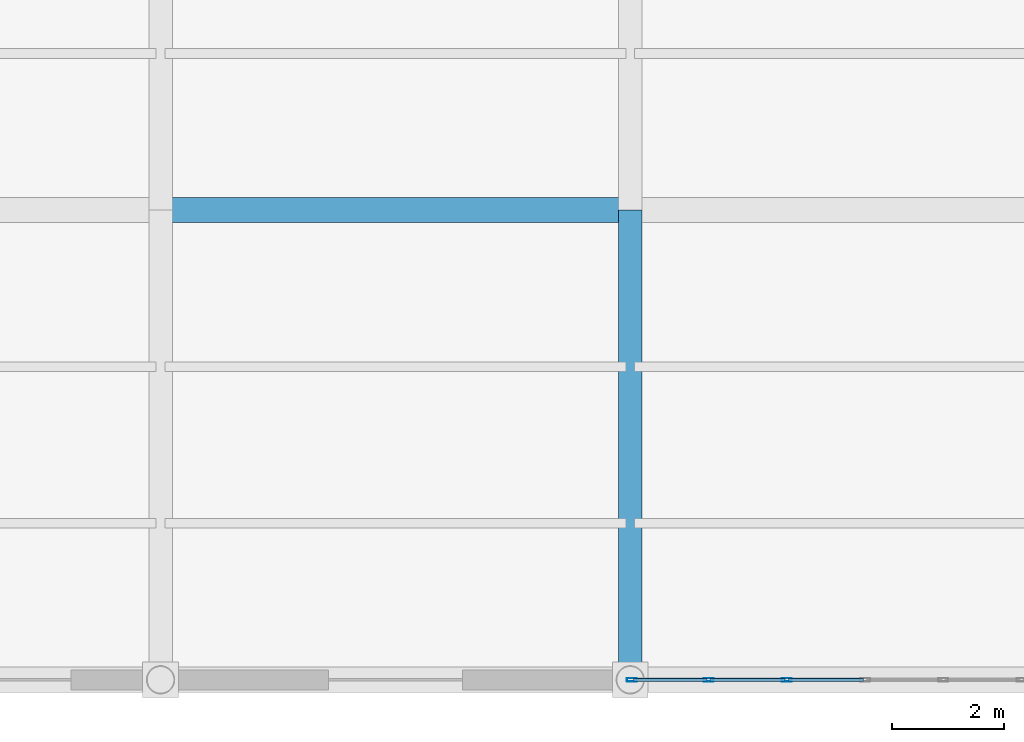
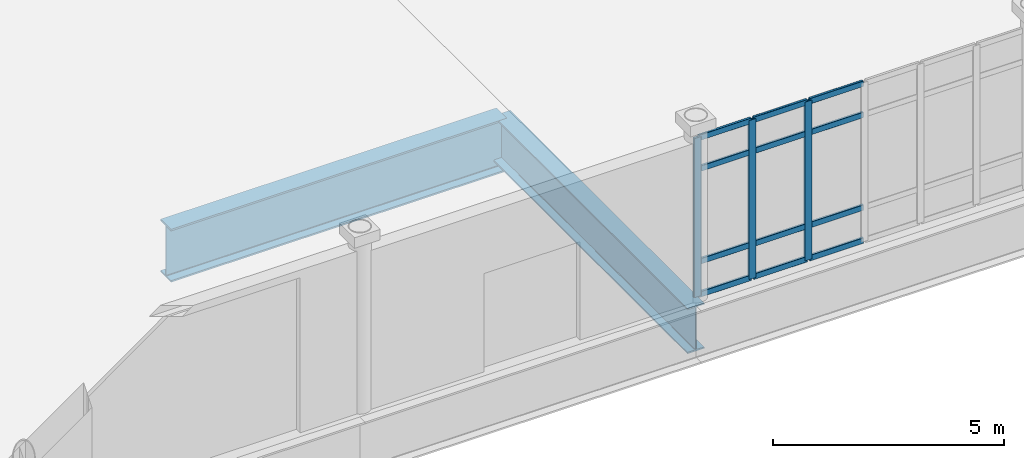
# One storey, part 46 of 145: 15 members, 2 beams, 1 element without a shape of its own.
"""IFC4 building model written with IfcOpenShell, lengths in metres."""

from ifc_helpers import new_model, si_unit, direction, frame, origin, origin_2d, place, context, subcontext, project, spatial, hollow_rectangle, i_section, extrude, material, layer, layer_set, material_profile, profile_set, type_object, element, aggregate, save


model = new_model("IFC4")

# Units and contexts
model_context = context("Model", 3, precision=1e-05, world=origin(), true_north=direction((0.0, 1.0)))
body_context = subcontext(model_context, "Body", "Model", "MODEL_VIEW")
ifc_project = project(units=[si_unit("LENGTHUNIT", "METRE"), si_unit("AREAUNIT", "SQUARE_METRE"), si_unit("VOLUMEUNIT", "CUBIC_METRE"), si_unit("PLANEANGLEUNIT", "RADIAN"), si_unit("MASSUNIT", "GRAM", prefix="KILO")], contexts=[model_context])

# Site, building, storey
site_placement = place(None, origin())
site = spatial("IfcSite", under=ifc_project, at=site_placement, CompositionType="ELEMENT")
building_placement = place(site_placement, origin())
building = spatial("IfcBuilding", under=site, at=building_placement, Name="Qalvenar Corner Mobility Hub", CompositionType="ELEMENT")
storey_placement = place(building_placement, origin())
storey = spatial("IfcBuildingStorey", under=building, at=storey_placement, Name="L00", CompositionType="ELEMENT", Elevation=0.0)

# Beams
ifc_material_1 = material(Name="Steel S355", Category="steel")
ifc_material_profile_1 = material_profile(ifc_material_1, i_section(OverallWidth=0.419921875, OverallDepth=1.199951171875, WebThickness=0.02197265625, FlangeThickness=0.0380859375, FilletRadius=0.02392578125, at=origin_2d()), Name="W1100x390-TG1200")
ifc_profile_set_1 = profile_set([ifc_material_profile_1], Name="Steel S355")
beam_type_1 = type_object("IfcBeamType", Name="BM-TG1200", PredefinedType="T_BEAM", material=ifc_profile_set_1)
beam_1_placement = place(storey_placement, frame((75.60009765625, 0.0, -0.85009765625), z_axis=(0.0, 1.0, 0.0), x_axis=(-1.0, 0.0, 0.0)))
element("IfcBeam", 1, at=beam_1_placement, inside=storey, type_object=beam_type_1, Name="Transfer Girder TG-0172", PredefinedType="T_BEAM", context=body_context, shape_type="SweptSolid", body=[
    extrude(i_section(OverallWidth=0.419921875, OverallDepth=1.199951171875, WebThickness=0.02197265625, FlangeThickness=0.0380859375, FilletRadius=0.02392578125, at=origin_2d()), origin(), (0.0, 0.0, 1.0), 8.39990234375),
])
ifc_material_profile_2 = material_profile(ifc_material_1, i_section(OverallWidth=0.449951171875, OverallDepth=1.39990234375, WebThickness=0.02587890625, FlangeThickness=0.0439453125, FilletRadius=0.02392578125, at=origin_2d()), Name="W1100x499-TG1400")
ifc_profile_set_2 = profile_set([ifc_material_profile_2], Name="Steel S355")
beam_type_2 = type_object("IfcBeamType", Name="BM-TG1400", PredefinedType="T_BEAM", material=ifc_profile_set_2)
beam_2_placement = place(storey_placement, frame((67.199951171875, 8.39990234375, -0.949951171875), z_axis=(1.0, 0.0, 0.0), x_axis=(0.0, 1.0, 0.0)))
element("IfcBeam", 2, at=beam_2_placement, inside=storey, type_object=beam_type_2, Name="Transfer Girder TG-0138", PredefinedType="T_BEAM", context=body_context, shape_type="SweptSolid", body=[
    extrude(i_section(OverallWidth=0.449951171875, OverallDepth=1.39990234375, WebThickness=0.02587890625, FlangeThickness=0.0439453125, FilletRadius=0.02392578125, at=origin_2d()), origin(), (0.0, 0.0, 1.0), 8.400146484375),
])

# Curtain wall, members
ifc_material_2 = material(Name="Anodised Aluminium and Low-E Glazing", Category="aluminium")
ifc_layer = layer(ifc_material_2, 0.179931640625)
ifc_layer_set = layer_set([ifc_layer], Name="Anodised Aluminium and Low-E Glazing")
curtain_wall_type = type_object("IfcCurtainWallType", Name="CW-CONC-84X48", PredefinedType="NOTDEFINED", material=ifc_layer_set)
curtain_wall_placement = place(storey_placement, origin())
curtain_wall = element("IfcCurtainWall", 3, at=curtain_wall_placement, inside=storey, type_object=curtain_wall_type, Name="Glazed Curtain Wall CW-V1-L00-S3", PredefinedType="NOTDEFINED")
ifc_material_3 = material(Name="Anodised Aluminium 6063-T6", Category="aluminium")
ifc_material_profile_3 = material_profile(ifc_material_3, hollow_rectangle(XDim=0.06494140625, YDim=0.179931640625, WallThickness=0.00390625, InnerFilletRadius=0.00390625, OuterFilletRadius=0.008056640625, at=origin_2d()), Name="RHS180x65x4")
ifc_profile_set_3 = profile_set([ifc_material_profile_3], Name="Anodised Aluminium 6063-T6")
member_type_1 = type_object("IfcMemberType", Name="CW-MUL180", PredefinedType="MULLION", material=ifc_profile_set_3)
member_1_placement = place(storey_placement, frame((75.6298828125, 0.0, 0.0), z_axis=(0.0, 0.0, 1.0), x_axis=(0.0, 1.0, 0.0)))
member_1 = element("IfcMember", 4, at=member_1_placement, type_object=member_type_1, Name="CW-01 mullion 1", PredefinedType="MULLION", context=body_context, shape_type="SweptSolid", body=[
    extrude(hollow_rectangle(XDim=0.06494140625, YDim=0.179931640625, WallThickness=0.00390625, InnerFilletRadius=0.00390625, OuterFilletRadius=0.008056640625, at=origin_2d()), origin(), (0.0, 0.0, 1.0), 4.199951171875),
])
member_2_placement = place(storey_placement, frame((77.0, 0.0, 0.0), z_axis=(0.0, 0.0, 1.0), x_axis=(0.0, 1.0, 0.0)))
member_2 = element("IfcMember", 5, at=member_2_placement, type_object=member_type_1, Name="CW-01 mullion 2", PredefinedType="MULLION", context=body_context, shape_type="SweptSolid", body=[
    extrude(hollow_rectangle(XDim=0.06494140625, YDim=0.179931640625, WallThickness=0.00390625, InnerFilletRadius=0.00390625, OuterFilletRadius=0.008056640625, at=origin_2d()), origin(), (0.0, 0.0, 1.0), 4.199951171875),
])
member_3_placement = place(storey_placement, frame((78.39990234375, 0.0, 0.0), z_axis=(0.0, 0.0, 1.0), x_axis=(0.0, 1.0, 0.0)))
member_3 = element("IfcMember", 6, at=member_3_placement, type_object=member_type_1, Name="CW-01 mullion 3", PredefinedType="MULLION", context=body_context, shape_type="SweptSolid", body=[
    extrude(hollow_rectangle(XDim=0.06494140625, YDim=0.179931640625, WallThickness=0.00390625, InnerFilletRadius=0.00390625, OuterFilletRadius=0.008056640625, at=origin_2d()), origin(), (0.0, 0.0, 1.0), 4.199951171875),
])
ifc_material_profile_4 = material_profile(ifc_material_3, hollow_rectangle(XDim=0.06005859375, YDim=0.14990234375, WallThickness=0.00341796875, InnerFilletRadius=0.00341796875, OuterFilletRadius=0.007080078125, at=origin_2d()), Name="RHS150x60x3.5")
ifc_profile_set_4 = profile_set([ifc_material_profile_4], Name="Anodised Aluminium 6063-T6")
member_type_2 = type_object("IfcMemberType", Name="CW-TRN150", PredefinedType="USERDEFINED", material=ifc_profile_set_4)
member_4_placement = place(storey_placement, frame((75.659912109375, 0.0, 0.027587890625), z_axis=(1.0, 0.0, 0.0), x_axis=(0.0, 1.0, 0.0)))
member_4 = element("IfcMember", 7, at=member_4_placement, type_object=member_type_2, Name="CW-01 transom 1.1", ObjectType="TRANSOM", PredefinedType="USERDEFINED", context=body_context, shape_type="SweptSolid", body=[
    extrude(hollow_rectangle(XDim=0.06005859375, YDim=0.14990234375, WallThickness=0.00341796875, InnerFilletRadius=0.00341796875, OuterFilletRadius=0.007080078125, at=origin_2d()), origin(), (0.0, 0.0, 1.0), 1.31005859375),
])
member_5_placement = place(storey_placement, frame((75.659912109375, 0.0, 0.89990234375), z_axis=(1.0, 0.0, 0.0), x_axis=(0.0, 1.0, 0.0)))
member_5 = element("IfcMember", 8, at=member_5_placement, type_object=member_type_2, Name="CW-01 transom 1.2", ObjectType="TRANSOM", PredefinedType="USERDEFINED", context=body_context, shape_type="SweptSolid", body=[
    extrude(hollow_rectangle(XDim=0.06005859375, YDim=0.14990234375, WallThickness=0.00341796875, InnerFilletRadius=0.00341796875, OuterFilletRadius=0.007080078125, at=origin_2d()), origin(), (0.0, 0.0, 1.0), 1.31005859375),
])
member_6_placement = place(storey_placement, frame((75.659912109375, 0.0, 3.35009765625), z_axis=(1.0, 0.0, 0.0), x_axis=(0.0, 1.0, 0.0)))
member_6 = element("IfcMember", 9, at=member_6_placement, type_object=member_type_2, Name="CW-01 transom 1.3", ObjectType="TRANSOM", PredefinedType="USERDEFINED", context=body_context, shape_type="SweptSolid", body=[
    extrude(hollow_rectangle(XDim=0.06005859375, YDim=0.14990234375, WallThickness=0.00341796875, InnerFilletRadius=0.00341796875, OuterFilletRadius=0.007080078125, at=origin_2d()), origin(), (0.0, 0.0, 1.0), 1.31005859375),
])
member_7_placement = place(storey_placement, frame((75.659912109375, 0.0, 4.172607421875), z_axis=(1.0, 0.0, 0.0), x_axis=(0.0, 1.0, 0.0)))
member_7 = element("IfcMember", 10, at=member_7_placement, type_object=member_type_2, Name="CW-01 transom 1.4", ObjectType="TRANSOM", PredefinedType="USERDEFINED", context=body_context, shape_type="SweptSolid", body=[
    extrude(hollow_rectangle(XDim=0.06005859375, YDim=0.14990234375, WallThickness=0.00341796875, InnerFilletRadius=0.00341796875, OuterFilletRadius=0.007080078125, at=origin_2d()), origin(), (0.0, 0.0, 1.0), 1.31005859375),
])
member_8_placement = place(storey_placement, frame((77.030029296875, 0.0, 0.027587890625), z_axis=(1.0, 0.0, 0.0), x_axis=(0.0, 1.0, 0.0)))
member_8 = element("IfcMember", 11, at=member_8_placement, type_object=member_type_2, Name="CW-01 transom 2.1", ObjectType="TRANSOM", PredefinedType="USERDEFINED", context=body_context, shape_type="SweptSolid", body=[
    extrude(hollow_rectangle(XDim=0.06005859375, YDim=0.14990234375, WallThickness=0.00341796875, InnerFilletRadius=0.00341796875, OuterFilletRadius=0.007080078125, at=origin_2d()), origin(), (0.0, 0.0, 1.0), 1.340087890625),
])
member_9_placement = place(storey_placement, frame((77.030029296875, 0.0, 0.89990234375), z_axis=(1.0, 0.0, 0.0), x_axis=(0.0, 1.0, 0.0)))
member_9 = element("IfcMember", 12, at=member_9_placement, type_object=member_type_2, Name="CW-01 transom 2.2", ObjectType="TRANSOM", PredefinedType="USERDEFINED", context=body_context, shape_type="SweptSolid", body=[
    extrude(hollow_rectangle(XDim=0.06005859375, YDim=0.14990234375, WallThickness=0.00341796875, InnerFilletRadius=0.00341796875, OuterFilletRadius=0.007080078125, at=origin_2d()), origin(), (0.0, 0.0, 1.0), 1.340087890625),
])
member_10_placement = place(storey_placement, frame((77.030029296875, 0.0, 3.35009765625), z_axis=(1.0, 0.0, 0.0), x_axis=(0.0, 1.0, 0.0)))
member_10 = element("IfcMember", 13, at=member_10_placement, type_object=member_type_2, Name="CW-01 transom 2.3", ObjectType="TRANSOM", PredefinedType="USERDEFINED", context=body_context, shape_type="SweptSolid", body=[
    extrude(hollow_rectangle(XDim=0.06005859375, YDim=0.14990234375, WallThickness=0.00341796875, InnerFilletRadius=0.00341796875, OuterFilletRadius=0.007080078125, at=origin_2d()), origin(), (0.0, 0.0, 1.0), 1.340087890625),
])
member_11_placement = place(storey_placement, frame((77.030029296875, 0.0, 4.172607421875), z_axis=(1.0, 0.0, 0.0), x_axis=(0.0, 1.0, 0.0)))
member_11 = element("IfcMember", 14, at=member_11_placement, type_object=member_type_2, Name="CW-01 transom 2.4", ObjectType="TRANSOM", PredefinedType="USERDEFINED", context=body_context, shape_type="SweptSolid", body=[
    extrude(hollow_rectangle(XDim=0.06005859375, YDim=0.14990234375, WallThickness=0.00341796875, InnerFilletRadius=0.00341796875, OuterFilletRadius=0.007080078125, at=origin_2d()), origin(), (0.0, 0.0, 1.0), 1.340087890625),
])
member_12_placement = place(storey_placement, frame((78.429931640625, 0.0, 0.027587890625), z_axis=(1.0, 0.0, 0.0), x_axis=(0.0, 1.0, 0.0)))
member_12 = element("IfcMember", 15, at=member_12_placement, type_object=member_type_2, Name="CW-01 transom 3.1", ObjectType="TRANSOM", PredefinedType="USERDEFINED", context=body_context, shape_type="SweptSolid", body=[
    extrude(hollow_rectangle(XDim=0.06005859375, YDim=0.14990234375, WallThickness=0.00341796875, InnerFilletRadius=0.00341796875, OuterFilletRadius=0.007080078125, at=origin_2d()), origin(), (0.0, 0.0, 1.0), 1.340087890625),
])
member_13_placement = place(storey_placement, frame((78.429931640625, 0.0, 0.89990234375), z_axis=(1.0, 0.0, 0.0), x_axis=(0.0, 1.0, 0.0)))
member_13 = element("IfcMember", 16, at=member_13_placement, type_object=member_type_2, Name="CW-01 transom 3.2", ObjectType="TRANSOM", PredefinedType="USERDEFINED", context=body_context, shape_type="SweptSolid", body=[
    extrude(hollow_rectangle(XDim=0.06005859375, YDim=0.14990234375, WallThickness=0.00341796875, InnerFilletRadius=0.00341796875, OuterFilletRadius=0.007080078125, at=origin_2d()), origin(), (0.0, 0.0, 1.0), 1.340087890625),
])
member_14_placement = place(storey_placement, frame((78.429931640625, 0.0, 3.35009765625), z_axis=(1.0, 0.0, 0.0), x_axis=(0.0, 1.0, 0.0)))
member_14 = element("IfcMember", 17, at=member_14_placement, type_object=member_type_2, Name="CW-01 transom 3.3", ObjectType="TRANSOM", PredefinedType="USERDEFINED", context=body_context, shape_type="SweptSolid", body=[
    extrude(hollow_rectangle(XDim=0.06005859375, YDim=0.14990234375, WallThickness=0.00341796875, InnerFilletRadius=0.00341796875, OuterFilletRadius=0.007080078125, at=origin_2d()), origin(), (0.0, 0.0, 1.0), 1.340087890625),
])
member_15_placement = place(storey_placement, frame((78.429931640625, 0.0, 4.172607421875), z_axis=(1.0, 0.0, 0.0), x_axis=(0.0, 1.0, 0.0)))
member_15 = element("IfcMember", 18, at=member_15_placement, type_object=member_type_2, Name="CW-01 transom 3.4", ObjectType="TRANSOM", PredefinedType="USERDEFINED", context=body_context, shape_type="SweptSolid", body=[
    extrude(hollow_rectangle(XDim=0.06005859375, YDim=0.14990234375, WallThickness=0.00341796875, InnerFilletRadius=0.00341796875, OuterFilletRadius=0.007080078125, at=origin_2d()), origin(), (0.0, 0.0, 1.0), 1.340087890625),
])
aggregate(curtain_wall, [member_1, member_2, member_3, member_4, member_5, member_6, member_7, member_8, member_9, member_10, member_11, member_12, member_13, member_14, member_15])

save(model, "model.ifc")
